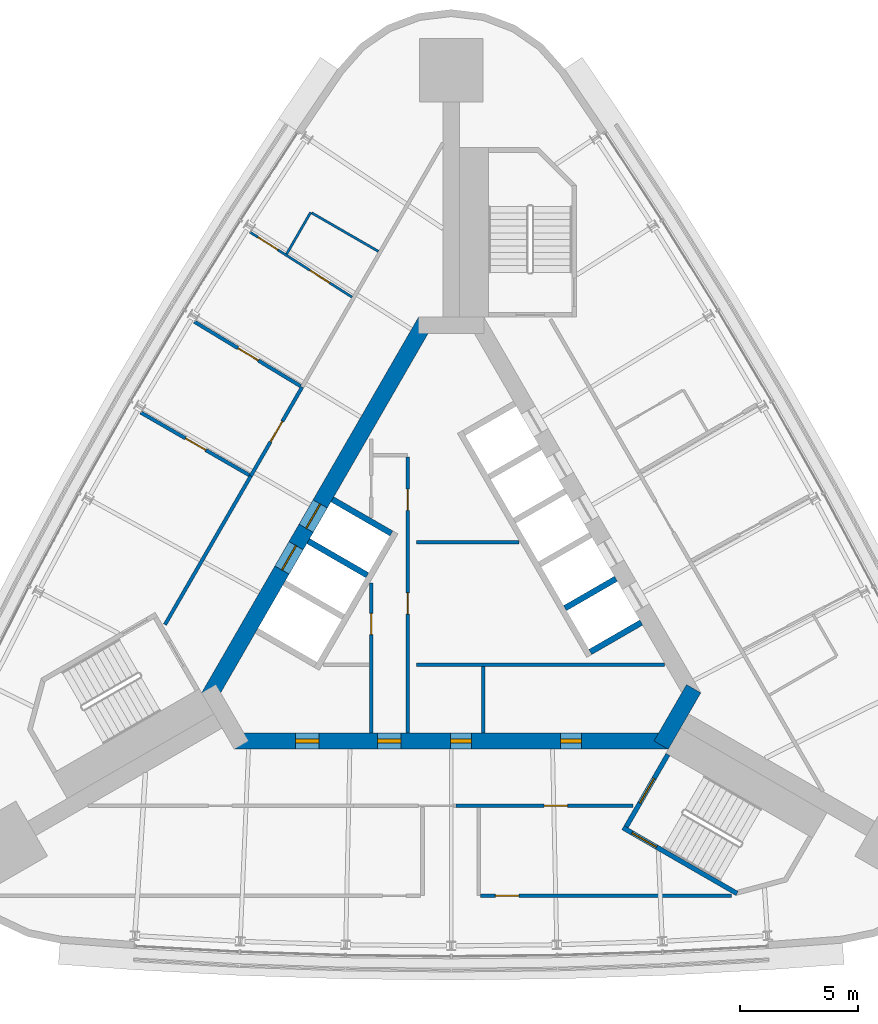
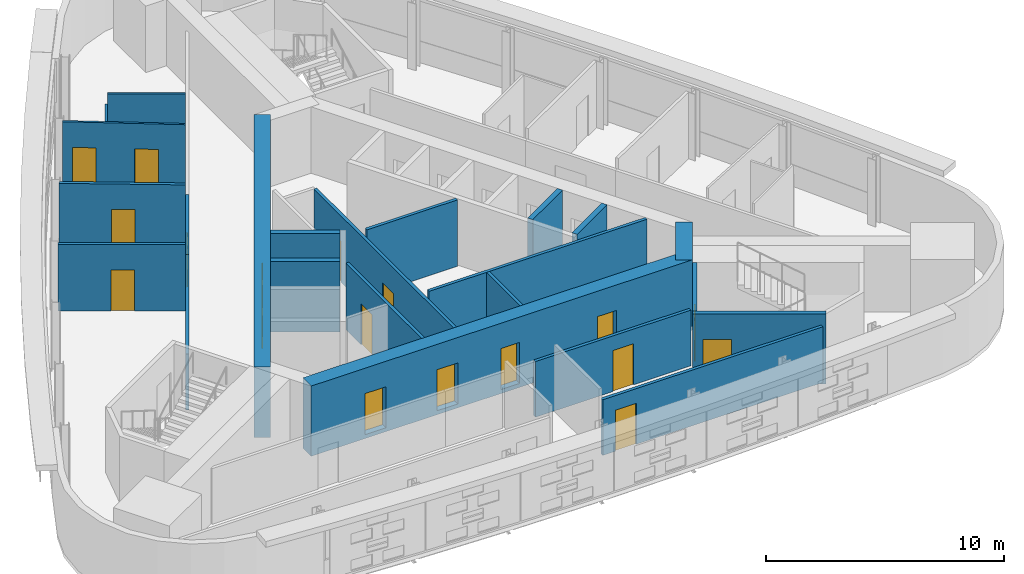
# One storey, part 7 of 10: 23 walls, 18 doors, 18 openings.
"""IFC4 building model written with IfcOpenShell, lengths in metres."""

from ifc_helpers import new_model, si_unit, direction, frame, frame_2d, origin, place, context, subcontext, project, spatial, rectangle, extrude, material, layer, layer_set, type_object, element, fill, save


model = new_model("IFC4")

# Units and contexts
model_context = context("Model", 3, precision=1e-05, world=origin(), true_north=direction((0.0, 1.0)))
body_context = subcontext(model_context, "Body", "Model", "MODEL_VIEW")
ifc_project = project(units=[si_unit("LENGTHUNIT", "METRE"), si_unit("AREAUNIT", "SQUARE_METRE"), si_unit("VOLUMEUNIT", "CUBIC_METRE"), si_unit("PLANEANGLEUNIT", "RADIAN"), si_unit("MASSUNIT", "GRAM", prefix="KILO")], contexts=[model_context])

# Site, building, storey
site_placement = place(None, origin())
site = spatial("IfcSite", under=ifc_project, at=site_placement, CompositionType="ELEMENT")
building_placement = place(site_placement, origin())
building = spatial("IfcBuilding", under=site, at=building_placement, Name="Noor Cloister Tower", CompositionType="ELEMENT")
storey_placement = place(building_placement, frame((0.0, 0.0, 195.89990234375)))
storey = spatial("IfcBuildingStorey", under=building, at=storey_placement, Name="L50", CompositionType="ELEMENT", Elevation=195.89990234375)

# Wall, opening, door
ifc_material_1 = material(Name="Concrete C30/37", Category="concrete")
ifc_layer_1 = layer(ifc_material_1, 0.14990234375)
ifc_layer_set_1 = layer_set([ifc_layer_1], Name="Core partition 150 C30/37")
wall_type_1 = type_object("IfcWallType", Name="Core partition 150 C30/37", PredefinedType="PARTITIONING", material=ifc_layer_set_1)
wall_1_placement = place(storey_placement, frame((-3.40380859375, 0.131103515625, 0.0), z_axis=(0.0, 0.0, 1.0), x_axis=(0.0, -1.0, 0.0)))
wall_1 = element("IfcWall", 1, at=wall_1_placement, inside=storey, type_object=wall_type_1, Name="Core room partition L50 2", PredefinedType="PARTITIONING", context=body_context, shape_type="SweptSolid", body=[
    extrude(rectangle(XDim=6.359375, YDim=0.14990234375, at=frame_2d((3.1796875, 0.0))), origin(), (0.0, 0.0, 1.0), 3.400146484375),
])
opening_1_placement = place(wall_1_placement, frame((1.280517578125, 0.0, 0.0)))
opening_1 = element("IfcOpeningElement", 2, at=opening_1_placement, cuts=wall_1, Name="Opening L50-905", PredefinedType="OPENING", context=body_context, shape_type="SweptSolid", body=[
    extrude(rectangle(XDim=0.89990234375, YDim=2.10009765625, at=frame_2d((0.449951171875, 1.050048828125))), frame((0.0, 0.0849609375, 0.0), z_axis=(0.0, -1.0, 0.0), x_axis=(1.0, 0.0, 0.0)), (0.0, 0.0, 1.0), 0.169921875),
])
ifc_material_2 = material(Name="Steel", Category="steel")
door_type_1 = type_object("IfcDoorType", Name="Core door 900 x 2100 FD120", OperationType="SINGLE_SWING_LEFT", PredefinedType="DOOR", material=ifc_material_2)
door_1_placement = place(opening_1_placement, origin())
door_1 = element("IfcDoor", 3, at=door_1_placement, inside=storey, type_object=door_type_1, Name="Core door 5 L50", OperationType="SINGLE_SWING_LEFT", OverallHeight=2.10009765625, OverallWidth=0.89990234375, PredefinedType="DOOR", context=body_context, shape_type="SweptSolid", body=[
    extrude(rectangle(XDim=0.89990234375, YDim=2.10009765625, at=frame_2d((0.449951171875, 1.050048828125))), frame((0.0, 0.02490234375, 0.0), z_axis=(0.0, -1.0, 0.0), x_axis=(1.0, 0.0, 0.0)), (0.0, 0.0, 1.0), 0.050048828125),
])
fill(opening_1, door_1)

# Wall, openings, doors
wall_2_placement = place(storey_placement, frame((-1.853759765625, 5.496826171875, 0.0), z_axis=(0.0, 0.0, 1.0), x_axis=(0.0, -1.0, 0.0)))
wall_2 = element("IfcWall", 4, at=wall_2_placement, inside=storey, type_object=wall_type_1, Name="Core room partition L50 5", PredefinedType="PARTITIONING", context=body_context, shape_type="SweptSolid", body=[
    extrude(rectangle(XDim=11.72509765625, YDim=0.14990234375, at=frame_2d((5.862548828125, 0.0))), origin(), (0.0, 0.0, 1.0), 3.400146484375),
])
opening_2_placement = place(wall_2_placement, frame((5.77490234375, 0.0, 0.0)))
opening_2 = element("IfcOpeningElement", 5, at=opening_2_placement, cuts=wall_2, Name="Opening L50-906", PredefinedType="OPENING", context=body_context, shape_type="SweptSolid", body=[
    extrude(rectangle(XDim=0.89990234375, YDim=2.10009765625, at=frame_2d((0.449951171875, 1.050048828125))), frame((0.0, 0.0849609375, 0.0), z_axis=(0.0, -1.0, 0.0), x_axis=(1.0, 0.0, 0.0)), (0.0, 0.0, 1.0), 0.169921875),
])
opening_3_placement = place(wall_2_placement, frame((1.363525390625, 0.0, 0.0)))
opening_3 = element("IfcOpeningElement", 6, at=opening_3_placement, cuts=wall_2, Name="Opening L50-908", PredefinedType="OPENING", context=body_context, shape_type="SweptSolid", body=[
    extrude(rectangle(XDim=0.89990234375, YDim=2.10009765625, at=frame_2d((0.449951171875, 1.050048828125))), frame((0.0, 0.0849609375, 0.0), z_axis=(0.0, -1.0, 0.0), x_axis=(1.0, 0.0, 0.0)), (0.0, 0.0, 1.0), 0.169921875),
])
door_2_placement = place(opening_3_placement, origin())
door_2 = element("IfcDoor", 7, at=door_2_placement, inside=storey, type_object=door_type_1, Name="Core door 8 L50", OperationType="SINGLE_SWING_RIGHT", OverallHeight=2.10009765625, OverallWidth=0.89990234375, PredefinedType="DOOR", context=body_context, shape_type="SweptSolid", body=[
    extrude(rectangle(XDim=0.89990234375, YDim=2.10009765625, at=frame_2d((0.449951171875, 1.050048828125))), frame((0.0, 0.02490234375, 0.0), z_axis=(0.0, -1.0, 0.0), x_axis=(1.0, 0.0, 0.0)), (0.0, 0.0, 1.0), 0.050048828125),
])
fill(opening_3, door_2)
ifc_material_3 = material(Name="Steel", Category="steel")
door_type_2 = type_object("IfcDoorType", Name="Core door 900 x 2100 FD60", OperationType="SINGLE_SWING_LEFT", PredefinedType="DOOR", material=ifc_material_3)
door_3_placement = place(opening_2_placement, origin())
door_3 = element("IfcDoor", 8, at=door_3_placement, inside=storey, type_object=door_type_2, Name="Core door 6 L50", OperationType="SINGLE_SWING_RIGHT", OverallHeight=2.10009765625, OverallWidth=0.89990234375, PredefinedType="DOOR", context=body_context, shape_type="SweptSolid", body=[
    extrude(rectangle(XDim=0.89990234375, YDim=2.10009765625, at=frame_2d((0.449951171875, 1.050048828125))), frame((0.0, 0.02490234375, 0.0), z_axis=(0.0, -1.0, 0.0), x_axis=(1.0, 0.0, 0.0)), (0.0, 0.0, 1.0), 0.050048828125),
])
fill(opening_2, door_3)

# Walls
wall_3_placement = place(storey_placement, frame((-1.478759765625, -3.328125, 0.0), z_axis=(0.0, 0.0, 1.0), x_axis=(1.0, 0.0, 0.0)))
element("IfcWall", 9, at=wall_3_placement, inside=storey, type_object=wall_type_1, Name="Core room partition L50 6", PredefinedType="PARTITIONING", context=body_context, shape_type="SweptSolid", body=[
    extrude(rectangle(XDim=10.546875, YDim=0.14990234375, at=frame_2d((5.2734375, 0.0))), origin(), (0.0, 0.0, 1.0), 3.400146484375),
])
wall_4_placement = place(storey_placement, frame((-1.478759765625, 1.871826171875, 0.0), z_axis=(0.0, 0.0, 1.0), x_axis=(1.0, 0.0, 0.0)))
element("IfcWall", 10, at=wall_4_placement, inside=storey, type_object=wall_type_1, Name="Core room partition L50 7", PredefinedType="PARTITIONING", context=body_context, shape_type="SweptSolid", body=[
    extrude(rectangle(XDim=4.369384765625, YDim=0.14990234375, at=frame_2d((2.1845703125, 0.0))), origin(), (0.0, 0.0, 1.0), 3.400146484375),
])
wall_5_placement = place(storey_placement, frame((1.371337890625, -3.4033203125, 0.0), z_axis=(0.0, 0.0, 1.0), x_axis=(0.0, -1.0, 0.0)))
element("IfcWall", 11, at=wall_5_placement, inside=storey, type_object=wall_type_1, Name="Core room partition L50 8", PredefinedType="PARTITIONING", context=body_context, shape_type="SweptSolid", body=[
    extrude(rectangle(XDim=2.824951171875, YDim=0.14990234375, at=frame_2d((1.41259765625, 0.0))), origin(), (0.0, 0.0, 1.0), 3.400146484375),
])

# Wall, openings, doors
ifc_material_4 = material(Name="Concrete C70/85", Category="concrete")
ifc_layer_2 = layer(ifc_material_4, 0.699951171875)
ifc_layer_set_2 = layer_set([ifc_layer_2], Name="Core wall 700 C70/85")
wall_type_2 = type_object("IfcWallType", Name="Core wall 700 C70/85", PredefinedType="SHEAR", material=ifc_layer_set_2)
wall_6_placement = place(storey_placement, frame((-9.228759765625, -6.578125, -0.199951171875), z_axis=(0.0, 0.0, 1.0), x_axis=(1.0, 0.0, 0.0)))
wall_6 = element("IfcWall", 12, at=wall_6_placement, inside=storey, type_object=wall_type_2, Name="Core wall L50 1", PredefinedType="SHEAR", context=body_context, shape_type="SweptSolid", body=[
    extrude(rectangle(XDim=18.45751953125, YDim=0.699951171875, at=frame_2d((9.228759765625, 0.0))), origin(), (0.0, 0.0, 1.0), 3.60009765625),
])
opening_4_placement = place(wall_6_placement, frame((6.10009765625, 0.0, 0.199951171875)))
opening_4 = element("IfcOpeningElement", 13, at=opening_4_placement, cuts=wall_6, Name="Opening L50-901", PredefinedType="OPENING", context=body_context, shape_type="SweptSolid", body=[
    extrude(rectangle(XDim=1.0, YDim=2.10009765625, at=frame_2d((0.5, 1.050048828125))), frame((0.0, 0.35986328125, 0.0), z_axis=(0.0, -1.0, 0.0), x_axis=(1.0, 0.0, 0.0)), (0.0, 0.0, 1.0), 0.719970703125),
])
opening_5_placement = place(wall_6_placement, frame((2.614501953125, 0.0, 0.199951171875)))
opening_5 = element("IfcOpeningElement", 14, at=opening_5_placement, cuts=wall_6, Name="Opening L50-902", PredefinedType="OPENING", context=body_context, shape_type="SweptSolid", body=[
    extrude(rectangle(XDim=1.0, YDim=2.10009765625, at=frame_2d((0.5, 1.050048828125))), frame((0.0, 0.35986328125, 0.0), z_axis=(0.0, -1.0, 0.0), x_axis=(1.0, 0.0, 0.0)), (0.0, 0.0, 1.0), 0.719970703125),
])
opening_6_placement = place(wall_6_placement, frame((9.197509765625, 0.0, 0.199951171875)))
opening_6 = element("IfcOpeningElement", 15, at=opening_6_placement, cuts=wall_6, Name="Opening L50-903", PredefinedType="OPENING", context=body_context, shape_type="SweptSolid", body=[
    extrude(rectangle(XDim=0.89990234375, YDim=2.10009765625, at=frame_2d((0.449951171875, 1.050048828125))), frame((0.0, 0.35986328125, 0.0), z_axis=(0.0, -1.0, 0.0), x_axis=(1.0, 0.0, 0.0)), (0.0, 0.0, 1.0), 0.719970703125),
])
opening_7_placement = place(wall_6_placement, frame((13.876708984375, 0.0, 0.199951171875)))
opening_7 = element("IfcOpeningElement", 16, at=opening_7_placement, cuts=wall_6, Name="Opening L50-904", PredefinedType="OPENING", context=body_context, shape_type="SweptSolid", body=[
    extrude(rectangle(XDim=0.89990234375, YDim=2.10009765625, at=frame_2d((0.449951171875, 1.050048828125))), frame((0.0, 0.35986328125, 0.0), z_axis=(0.0, -1.0, 0.0), x_axis=(1.0, 0.0, 0.0)), (0.0, 0.0, 1.0), 0.719970703125),
])
ifc_material_5 = material(Name="Steel", Category="steel")
door_type_3 = type_object("IfcDoorType", Name="Core door 1000 x 2100 FD120", OperationType="SINGLE_SWING_LEFT", PredefinedType="DOOR", material=ifc_material_5)
door_4_placement = place(opening_4_placement, origin())
door_4 = element("IfcDoor", 17, at=door_4_placement, inside=storey, type_object=door_type_3, Name="Core door 1 L50", OperationType="SINGLE_SWING_LEFT", OverallHeight=2.10009765625, OverallWidth=1.0, PredefinedType="DOOR", context=body_context, shape_type="SweptSolid", body=[
    extrude(rectangle(XDim=1.0, YDim=2.10009765625, at=frame_2d((0.5, 1.050048828125))), frame((0.0, 0.074951171875, 0.0), z_axis=(0.0, -1.0, 0.0), x_axis=(1.0, 0.0, 0.0)), (0.0, 0.0, 1.0), 0.14990234375),
])
fill(opening_4, door_4)
ifc_material_6 = material(Name="Steel", Category="steel")
door_type_4 = type_object("IfcDoorType", Name="Core door 1000 x 2100 FD60", OperationType="SINGLE_SWING_LEFT", PredefinedType="DOOR", material=ifc_material_6)
door_5_placement = place(opening_5_placement, origin())
door_5 = element("IfcDoor", 18, at=door_5_placement, inside=storey, type_object=door_type_4, Name="Core door 2 L50", OperationType="SINGLE_SWING_RIGHT", OverallHeight=2.10009765625, OverallWidth=1.0, PredefinedType="DOOR", context=body_context, shape_type="SweptSolid", body=[
    extrude(rectangle(XDim=1.0, YDim=2.10009765625, at=frame_2d((0.5, 1.050048828125))), frame((0.0, 0.074951171875, 0.0), z_axis=(0.0, -1.0, 0.0), x_axis=(1.0, 0.0, 0.0)), (0.0, 0.0, 1.0), 0.14990234375),
])
fill(opening_5, door_5)
door_6_placement = place(opening_7_placement, origin())
door_6 = element("IfcDoor", 19, at=door_6_placement, inside=storey, type_object=door_type_1, Name="Core door 4 L50", OperationType="SINGLE_SWING_RIGHT", OverallHeight=2.10009765625, OverallWidth=0.89990234375, PredefinedType="DOOR", context=body_context, shape_type="SweptSolid", body=[
    extrude(rectangle(XDim=0.89990234375, YDim=2.10009765625, at=frame_2d((0.449951171875, 1.050048828125))), frame((0.0, 0.074951171875, 0.0), z_axis=(0.0, -1.0, 0.0), x_axis=(1.0, 0.0, 0.0)), (0.0, 0.0, 1.0), 0.14990234375),
])
fill(opening_7, door_6)
door_7_placement = place(opening_6_placement, origin())
door_7 = element("IfcDoor", 20, at=door_7_placement, inside=storey, type_object=door_type_2, Name="Core door 3 L50", OperationType="SINGLE_SWING_LEFT", OverallHeight=2.10009765625, OverallWidth=0.89990234375, PredefinedType="DOOR", context=body_context, shape_type="SweptSolid", body=[
    extrude(rectangle(XDim=0.89990234375, YDim=2.10009765625, at=frame_2d((0.449951171875, 1.050048828125))), frame((0.0, 0.074951171875, 0.0), z_axis=(0.0, -1.0, 0.0), x_axis=(1.0, 0.0, 0.0)), (0.0, 0.0, 1.0), 0.14990234375),
])
fill(opening_6, door_7)

# Wall
wall_7_placement = place(storey_placement, frame((8.925537109375, -6.753173828125, -0.199951171875), z_axis=(0.0, 0.0, 1.0), x_axis=(0.500042739161, 0.866000726912, 0.0)))
element("IfcWall", 21, at=wall_7_placement, inside=storey, type_object=wall_type_2, Name="Core wall L50 2", PredefinedType="SHEAR", context=body_context, shape_type="SweptSolid", body=[
    extrude(rectangle(XDim=2.771240234375, YDim=0.699951171875, at=frame_2d((1.3857421875, 0.0))), origin(), (0.0, 0.0, 1.0), 3.60009765625),
])

# Wall, openings, doors
wall_8_placement = place(storey_placement, frame((-1.08251953125, 11.281494140625, -0.199951171875), z_axis=(0.0, 0.0, 1.0), x_axis=(-0.500001446645, -0.866024568562, 0.0)))
wall_8 = element("IfcWall", 22, at=wall_8_placement, inside=storey, type_object=wall_type_2, Name="Core wall L50 5", PredefinedType="SHEAR", context=body_context, shape_type="SweptSolid", body=[
    extrude(rectangle(XDim=18.45751953125, YDim=0.699951171875, at=frame_2d((9.228759765625, 0.0))), origin(), (0.0, 0.0, 1.0), 3.60009765625),
])
opening_8_placement = place(wall_8_placement, frame((8.978759765625, 0.0, 0.199951171875)))
opening_8 = element("IfcOpeningElement", 23, at=opening_8_placement, cuts=wall_8, Name="Opening L50-FF1", PredefinedType="OPENING", context=body_context, shape_type="SweptSolid", body=[
    extrude(rectangle(XDim=1.199951171875, YDim=2.10009765625, at=frame_2d((0.60009765625, 1.050048828125))), frame((0.0, 0.35986328125, 0.0), z_axis=(0.0, -1.0, 0.0), x_axis=(1.0, 0.0, 0.0)), (0.0, 0.0, 1.0), 0.719970703125),
])
opening_9_placement = place(wall_8_placement, frame((11.02880859375, 0.0, 0.199951171875)))
opening_9 = element("IfcOpeningElement", 24, at=opening_9_placement, cuts=wall_8, Name="Opening L50-FF2", PredefinedType="OPENING", context=body_context, shape_type="SweptSolid", body=[
    extrude(rectangle(XDim=1.199951171875, YDim=2.10009765625, at=frame_2d((0.60009765625, 1.050048828125))), frame((0.0, 0.35986328125, 0.0), z_axis=(0.0, -1.0, 0.0), x_axis=(1.0, 0.0, 0.0)), (0.0, 0.0, 1.0), 0.719970703125),
])
ifc_material_7 = material(Name="Stainless steel", Category="steel")
door_type_5 = type_object("IfcDoorType", Name="Lift landing door 1200 x 2100", OperationType="DOUBLE_DOOR_SLIDING", PredefinedType="DOOR", material=ifc_material_7)
door_8_placement = place(opening_8_placement, origin())
door_8 = element("IfcDoor", 25, at=door_8_placement, inside=storey, type_object=door_type_5, Name="Landing door FF1 L50", OperationType="DOUBLE_DOOR_SLIDING", OverallHeight=2.10009765625, OverallWidth=1.199951171875, PredefinedType="DOOR", context=body_context, shape_type="SweptSolid", body=[
    extrude(rectangle(XDim=1.199951171875, YDim=2.10009765625, at=frame_2d((0.60009765625, 1.050048828125))), frame((0.0, 0.02490234375, 0.0), z_axis=(0.0, -1.0, 0.0), x_axis=(1.0, 0.0, 0.0)), (0.0, 0.0, 1.0), 0.050048828125),
])
fill(opening_8, door_8)
door_9_placement = place(opening_9_placement, origin())
door_9 = element("IfcDoor", 26, at=door_9_placement, inside=storey, type_object=door_type_5, Name="Landing door FF2 L50", OperationType="DOUBLE_DOOR_SLIDING", OverallHeight=2.10009765625, OverallWidth=1.199951171875, PredefinedType="DOOR", context=body_context, shape_type="SweptSolid", body=[
    extrude(rectangle(XDim=1.199951171875, YDim=2.10009765625, at=frame_2d((0.60009765625, 1.050048828125))), frame((0.0, 0.02490234375, 0.0), z_axis=(0.0, -1.0, 0.0), x_axis=(1.0, 0.0, 0.0)), (0.0, 0.0, 1.0), 0.050048828125),
])
fill(opening_9, door_9)

# Wall
ifc_material_8 = material(Name="Fire-rated gypsum board partition on steel studs, 150 mm", Category="steel")
ifc_layer_3 = layer(ifc_material_8, 0.14990234375)
ifc_layer_set_3 = layer_set([ifc_layer_3], Name="Fire lobby wall 150")
wall_type_3 = type_object("IfcWallType", Name="Fire lobby wall 150", PredefinedType="PARTITIONING", material=ifc_layer_set_3)
wall_9_placement = place(storey_placement, frame((-8.52490234375, 4.69091796875, 0.0), z_axis=(0.0, 0.0, 1.0), x_axis=(-0.499986021771, -0.866033473968, 0.0)))
element("IfcWall", 27, at=wall_9_placement, inside=storey, type_object=wall_type_3, Name="Wall L50-W19", PredefinedType="PARTITIONING", context=body_context, shape_type="SweptSolid", body=[
    extrude(rectangle(XDim=7.296630859375, YDim=0.14990234375, at=frame_2d((3.6484375, 0.0))), origin(), (0.0, 0.0, 1.0), 2.85205078125),
])

# Wall, opening, door
wall_10_placement = place(storey_placement, frame((-6.3408203125, 8.473876953125, 0.0), z_axis=(0.0, 0.0, 1.0), x_axis=(-0.49999822179, -0.866026430432, 0.0)))
wall_10 = element("IfcWall", 28, at=wall_10_placement, inside=storey, type_object=wall_type_3, Name="Wall L50-W22", PredefinedType="PARTITIONING", context=body_context, shape_type="SweptSolid", body=[
    extrude(rectangle(XDim=4.3681640625, YDim=0.14990234375, at=frame_2d((2.18408203125, 0.0))), origin(), (0.0, 0.0, 1.0), 2.85205078125),
])
opening_10_placement = place(wall_10_placement, frame((1.68408203125, 0.0, 0.0)))
opening_10 = element("IfcOpeningElement", 29, at=opening_10_placement, cuts=wall_10, Name="Opening L50-012", PredefinedType="OPENING", context=body_context, shape_type="SweptSolid", body=[
    extrude(rectangle(XDim=1.0, YDim=2.10009765625, at=frame_2d((0.5, 1.050048828125))), frame((0.0, 0.0849609375, 0.0), z_axis=(0.0, -1.0, 0.0), x_axis=(1.0, 0.0, 0.0)), (0.0, 0.0, 1.0), 0.169921875),
])
ifc_material_9 = material(Name="Timber door leaf with steel frame", Category="steel")
door_type_6 = type_object("IfcDoorType", Name="Fire lobby door 1000", OperationType="NOTDEFINED", PredefinedType="DOOR", material=ifc_material_9)
door_10_placement = place(opening_10_placement, origin())
door_10 = element("IfcDoor", 30, at=door_10_placement, inside=storey, type_object=door_type_6, Name="Door L50-012", OperationType="SINGLE_SWING_RIGHT", OverallHeight=2.10009765625, OverallWidth=1.0, PredefinedType="DOOR", context=body_context, shape_type="SweptSolid", body=[
    extrude(rectangle(XDim=1.0, YDim=2.10009765625, at=frame_2d((0.5, 1.050048828125))), frame((0.0, 0.02490234375, 0.0), z_axis=(0.0, -1.0, 0.0), x_axis=(1.0, 0.0, 0.0)), (0.0, 0.0, 1.0), 0.050048828125),
])
fill(opening_10, door_10)

ifc_material_10 = material(Name="Gypsum board partition on steel studs, 150 mm", Category="steel")
ifc_layer_4 = layer(ifc_material_10, 0.14990234375)
ifc_layer_set_4 = layer_set([ifc_layer_4], Name="Flat wall 150")
wall_type_4 = type_object("IfcWallType", Name="Flat wall 150", PredefinedType="PARTITIONING", material=ifc_layer_set_4)
wall_11_placement = place(storey_placement, frame((0.199951171875, -9.328125, 0.0), z_axis=(0.0, 0.0, 1.0), x_axis=(1.0, 0.0, 0.0)))
wall_11 = element("IfcWall", 31, at=wall_11_placement, inside=storey, type_object=wall_type_4, Name="Wall L50-W12", PredefinedType="PARTITIONING", context=body_context, shape_type="SweptSolid", body=[
    extrude(rectangle(XDim=7.527587890625, YDim=0.14990234375, at=frame_2d((3.763671875, 0.0))), origin(), (0.0, 0.0, 1.0), 2.85205078125),
])
opening_11_placement = place(wall_11_placement, frame((3.753173828125, 0.0, 0.0)))
opening_11 = element("IfcOpeningElement", 32, at=opening_11_placement, cuts=wall_11, Name="Opening L50-011", PredefinedType="OPENING", context=body_context, shape_type="SweptSolid", body=[
    extrude(rectangle(XDim=1.0, YDim=2.10009765625, at=frame_2d((0.5, 1.050048828125))), frame((0.0, 0.0849609375, 0.0), z_axis=(0.0, -1.0, 0.0), x_axis=(1.0, 0.0, 0.0)), (0.0, 0.0, 1.0), 0.169921875),
])
ifc_material_11 = material(Name="Timber door leaf with steel frame", Category="steel")
door_type_7 = type_object("IfcDoorType", Name="Interior door 1000 FD60", OperationType="NOTDEFINED", PredefinedType="DOOR", material=ifc_material_11)
door_11_placement = place(opening_11_placement, origin())
door_11 = element("IfcDoor", 33, at=door_11_placement, inside=storey, type_object=door_type_7, Name="Door L50-011", OperationType="SINGLE_SWING_LEFT", OverallHeight=2.10009765625, OverallWidth=1.0, PredefinedType="DOOR", context=body_context, shape_type="SweptSolid", body=[
    extrude(rectangle(XDim=1.0, YDim=2.10009765625, at=frame_2d((0.5, 1.050048828125))), frame((0.0, 0.02490234375, 0.0), z_axis=(0.0, -1.0, 0.0), x_axis=(1.0, 0.0, 0.0)), (0.0, 0.0, 1.0), 0.050048828125),
])
fill(opening_11, door_11)

wall_12_placement = place(storey_placement, frame((1.253662109375, -13.156005859375, 0.0), z_axis=(0.0, 0.0, 1.0), x_axis=(1.0, 0.0, 0.0)))
wall_12 = element("IfcWall", 34, at=wall_12_placement, inside=storey, type_object=wall_type_4, Name="Wall L50-W17", PredefinedType="PARTITIONING", context=body_context, shape_type="SweptSolid", body=[
    extrude(rectangle(XDim=10.662109375, YDim=0.14990234375, at=frame_2d((5.3310546875, 0.0))), origin(), (0.0, 0.0, 1.0), 2.85205078125),
])
opening_12_placement = place(wall_12_placement, frame((0.625, 0.0, 0.0)))
opening_12 = element("IfcOpeningElement", 35, at=opening_12_placement, cuts=wall_12, Name="Opening L50-010", PredefinedType="OPENING", context=body_context, shape_type="SweptSolid", body=[
    extrude(rectangle(XDim=1.0, YDim=2.10009765625, at=frame_2d((0.5, 1.050048828125))), frame((0.0, 0.0849609375, 0.0), z_axis=(0.0, -1.0, 0.0), x_axis=(1.0, 0.0, 0.0)), (0.0, 0.0, 1.0), 0.169921875),
])
door_12_placement = place(opening_12_placement, origin())
door_12 = element("IfcDoor", 36, at=door_12_placement, inside=storey, type_object=door_type_7, Name="Door L50-010", OperationType="SINGLE_SWING_RIGHT", OverallHeight=2.10009765625, OverallWidth=1.0, PredefinedType="DOOR", context=body_context, shape_type="SweptSolid", body=[
    extrude(rectangle(XDim=1.0, YDim=2.10009765625, at=frame_2d((0.5, 1.050048828125))), frame((0.0, 0.02490234375, 0.0), z_axis=(0.0, -1.0, 0.0), x_axis=(1.0, 0.0, 0.0)), (0.0, 0.0, 1.0), 0.050048828125),
])
fill(opening_12, door_12)

wall_13_placement = place(storey_placement, frame((-10.93115234375, 11.25830078125, 0.0), z_axis=(0.0, 0.0, 1.0), x_axis=(0.855021240233, -0.51859297985, 0.0)))
wall_13 = element("IfcWall", 37, at=wall_13_placement, inside=storey, type_object=wall_type_4, Name="Wall L50-W20", PredefinedType="PARTITIONING", context=body_context, shape_type="SweptSolid", body=[
    extrude(rectangle(XDim=5.2939453125, YDim=0.14990234375, at=frame_2d((2.64697265625, 0.0))), origin(), (0.0, 0.0, 1.0), 3.400146484375),
])
opening_13_placement = place(wall_13_placement, frame((2.184326171875, 0.0, 0.0)))
opening_13 = element("IfcOpeningElement", 38, at=opening_13_placement, cuts=wall_13, Name="Opening L50-015", PredefinedType="OPENING", context=body_context, shape_type="SweptSolid", body=[
    extrude(rectangle(XDim=1.0, YDim=2.10009765625, at=frame_2d((0.5, 1.050048828125))), frame((0.0, 0.0849609375, 0.0), z_axis=(0.0, -1.0, 0.0), x_axis=(1.0, 0.0, 0.0)), (0.0, 0.0, 1.0), 0.169921875),
])
ifc_material_12 = material(Name="Timber door leaf with steel frame", Category="steel")
door_type_8 = type_object("IfcDoorType", Name="Flat entrance door 1000", OperationType="NOTDEFINED", PredefinedType="DOOR", material=ifc_material_12)
door_13_placement = place(opening_13_placement, origin())
door_13 = element("IfcDoor", 39, at=door_13_placement, inside=storey, type_object=door_type_8, Name="Door L50-015", OperationType="SINGLE_SWING_LEFT", OverallHeight=2.10009765625, OverallWidth=1.0, PredefinedType="DOOR", context=body_context, shape_type="SweptSolid", body=[
    extrude(rectangle(XDim=1.0, YDim=2.10009765625, at=frame_2d((0.5, 1.050048828125))), frame((0.0, 0.02490234375, 0.0), z_axis=(0.0, -1.0, 0.0), x_axis=(1.0, 0.0, 0.0)), (0.0, 0.0, 1.0), 0.050048828125),
])
fill(opening_13, door_13)

wall_14_placement = place(storey_placement, frame((-13.211669921875, 7.396728515625, 0.0), z_axis=(0.0, 0.0, 1.0), x_axis=(0.866041606145, -0.499971935638, 0.0)))
wall_14 = element("IfcWall", 40, at=wall_14_placement, inside=storey, type_object=wall_type_4, Name="Wall L50-W21", PredefinedType="PARTITIONING", context=body_context, shape_type="SweptSolid", body=[
    extrude(rectangle(XDim=5.336669921875, YDim=0.14990234375, at=frame_2d((2.66845703125, 0.0))), origin(), (0.0, 0.0, 1.0), 3.400146484375),
])
opening_14_placement = place(wall_14_placement, frame((2.205810546875, 0.0, 0.0)))
opening_14 = element("IfcOpeningElement", 41, at=opening_14_placement, cuts=wall_14, Name="Opening L50-016", PredefinedType="OPENING", context=body_context, shape_type="SweptSolid", body=[
    extrude(rectangle(XDim=1.0, YDim=2.10009765625, at=frame_2d((0.5, 1.050048828125))), frame((0.0, 0.0849609375, 0.0), z_axis=(0.0, -1.0, 0.0), x_axis=(1.0, 0.0, 0.0)), (0.0, 0.0, 1.0), 0.169921875),
])
door_14_placement = place(opening_14_placement, origin())
door_14 = element("IfcDoor", 42, at=door_14_placement, inside=storey, type_object=door_type_7, Name="Door L50-016", OperationType="SINGLE_SWING_RIGHT", OverallHeight=2.10009765625, OverallWidth=1.0, PredefinedType="DOOR", context=body_context, shape_type="SweptSolid", body=[
    extrude(rectangle(XDim=1.0, YDim=2.10009765625, at=frame_2d((0.5, 1.050048828125))), frame((0.0, 0.02490234375, 0.0), z_axis=(0.0, -1.0, 0.0), x_axis=(1.0, 0.0, 0.0)), (0.0, 0.0, 1.0), 0.050048828125),
])
fill(opening_14, door_14)

# Wall, openings, doors
ifc_material_13 = material(Name="Gypsum board partition on steel studs, 100 mm", Category="steel")
ifc_layer_5 = layer(ifc_material_13, 0.10009765625)
ifc_layer_set_5 = layer_set([ifc_layer_5], Name="Partition 100")
wall_type_5 = type_object("IfcWallType", Name="Partition 100", PredefinedType="PARTITIONING", material=ifc_layer_set_5)
wall_15_placement = place(storey_placement, frame((-8.567626953125, 15.06982421875, 0.0), z_axis=(0.0, 0.0, 1.0), x_axis=(0.843577645789, -0.537007221111, 0.0)))
wall_15 = element("IfcWall", 43, at=wall_15_placement, inside=storey, type_object=wall_type_5, Name="Wall L50-W23", PredefinedType="PARTITIONING", context=body_context, shape_type="SweptSolid", body=[
    extrude(rectangle(XDim=5.156494140625, YDim=0.10009765625, at=frame_2d((2.578125, 0.0))), origin(), (0.0, 0.0, 1.0), 3.400146484375),
])
opening_15_placement = place(wall_15_placement, frame((0.4140625, 0.0, 0.0)))
opening_15 = element("IfcOpeningElement", 44, at=opening_15_placement, cuts=wall_15, Name="Opening L50-013", PredefinedType="OPENING", context=body_context, shape_type="SweptSolid", body=[
    extrude(rectangle(XDim=1.0, YDim=2.10009765625, at=frame_2d((0.5, 1.050048828125))), frame((0.0, 0.06005859375, 0.0), z_axis=(0.0, -1.0, 0.0), x_axis=(1.0, 0.0, 0.0)), (0.0, 0.0, 1.0), 0.1201171875),
])
opening_16_placement = place(wall_15_placement, frame((3.02978515625, 0.0, 0.0)))
opening_16 = element("IfcOpeningElement", 45, at=opening_16_placement, cuts=wall_15, Name="Opening L50-014", PredefinedType="OPENING", context=body_context, shape_type="SweptSolid", body=[
    extrude(rectangle(XDim=1.0, YDim=2.10009765625, at=frame_2d((0.5, 1.050048828125))), frame((0.0, 0.06005859375, 0.0), z_axis=(0.0, -1.0, 0.0), x_axis=(1.0, 0.0, 0.0)), (0.0, 0.0, 1.0), 0.1201171875),
])
ifc_material_14 = material(Name="Timber door leaf with steel frame", Category="steel")
door_type_9 = type_object("IfcDoorType", Name="Interior door 1000", OperationType="NOTDEFINED", PredefinedType="DOOR", material=ifc_material_14)
door_15_placement = place(opening_15_placement, origin())
door_15 = element("IfcDoor", 46, at=door_15_placement, inside=storey, type_object=door_type_9, Name="Door L50-013", OperationType="SINGLE_SWING_LEFT", OverallHeight=2.10009765625, OverallWidth=1.0, PredefinedType="DOOR", context=body_context, shape_type="SweptSolid", body=[
    extrude(rectangle(XDim=1.0, YDim=2.10009765625, at=frame_2d((0.5, 1.050048828125))), frame((0.0, 0.02490234375, 0.0), z_axis=(0.0, -1.0, 0.0), x_axis=(1.0, 0.0, 0.0)), (0.0, 0.0, 1.0), 0.050048828125),
])
fill(opening_15, door_15)
door_16_placement = place(opening_16_placement, origin())
door_16 = element("IfcDoor", 47, at=door_16_placement, inside=storey, type_object=door_type_9, Name="Door L50-014", OperationType="SINGLE_SWING_RIGHT", OverallHeight=2.10009765625, OverallWidth=1.0, PredefinedType="DOOR", context=body_context, shape_type="SweptSolid", body=[
    extrude(rectangle(XDim=1.0, YDim=2.10009765625, at=frame_2d((0.5, 1.050048828125))), frame((0.0, 0.02490234375, 0.0), z_axis=(0.0, -1.0, 0.0), x_axis=(1.0, 0.0, 0.0)), (0.0, 0.0, 1.0), 0.050048828125),
])
fill(opening_16, door_16)

# Walls
wall_16_placement = place(storey_placement, frame((-7.00048828125, 14.13134765625, 0.0), z_axis=(0.0, 0.0, 1.0), x_axis=(0.500045446624, 0.865999163574, 0.0)))
element("IfcWall", 48, at=wall_16_placement, inside=storey, type_object=wall_type_5, Name="Wall L50-W24", PredefinedType="PARTITIONING", context=body_context, shape_type="SweptSolid", body=[
    extrude(rectangle(XDim=2.050048828125, YDim=0.10009765625, at=frame_2d((1.02490234375, 0.0))), origin(), (0.0, 0.0, 1.0), 2.85205078125),
])
wall_17_placement = place(storey_placement, frame((-5.93212890625, 15.881591796875, 0.0), z_axis=(0.0, 0.0, 1.0), x_axis=(0.866027924134, -0.499995634601, 0.0)))
element("IfcWall", 49, at=wall_17_placement, inside=storey, type_object=wall_type_5, Name="Wall L50-W25", PredefinedType="PARTITIONING", context=body_context, shape_type="SweptSolid", body=[
    extrude(rectangle(XDim=3.27490234375, YDim=0.10009765625, at=frame_2d((1.637451171875, 0.0))), origin(), (0.0, 0.0, 1.0), 3.400146484375),
])
ifc_material_15 = material(Name="Concrete C70/85", Category="concrete")
ifc_layer_6 = layer(ifc_material_15, 0.25)
ifc_layer_set_6 = layer_set([ifc_layer_6], Name="Shaft wall 250 C70/85")
wall_type_6 = type_object("IfcWallType", Name="Shaft wall 250 C70/85", PredefinedType="PARTITIONING", material=ifc_layer_set_6)
for number, where, z_axis, x_axis, name in (
    (50, (8.081298828125, -1.540771484375, -0.199951171875), (0.0, 0.0, 1.0), (-0.866022959057, -0.500004234368, 0.0), "Lift shaft wall L50 NE 1"),
    (51, (7.00634765625, 0.3212890625, -0.199951171875), (0.0, 0.0, 1.0), (-0.866022959057, -0.500004234368, 0.0), "Lift shaft wall L50 NE 2"),
):
    element("IfcWall", number, at=place(storey_placement, frame(where, z_axis=z_axis, x_axis=x_axis)), inside=storey, type_object=wall_type_6, Name=name, PredefinedType="PARTITIONING", context=body_context, shape_type="SweptSolid", body=[
        extrude(rectangle(XDim=2.5, YDim=0.25, at=frame_2d((1.25, 0.0))), origin(), (0.0, 0.0, 1.0), 3.60009765625),
    ])
for number, where, z_axis, x_axis, name in (
    (52, (-5.056396484375, 3.69873046875, -0.199951171875), (0.0, 0.0, 1.0), (0.866032775405, -0.499987231761, 0.0), "Lift shaft wall L50 NW 3"),
    (53, (-6.081298828125, 1.92333984375, -0.199951171875), (0.0, 0.0, 1.0), (0.866032775405, -0.499987231761, 0.0), "Lift shaft wall L50 NW 4"),
):
    element("IfcWall", number, at=place(storey_placement, frame(where, z_axis=z_axis, x_axis=x_axis)), inside=storey, type_object=wall_type_6, Name=name, PredefinedType="PARTITIONING", context=body_context, shape_type="SweptSolid", body=[
        extrude(rectangle(XDim=2.89990234375, YDim=0.25, at=frame_2d((1.449951171875, 0.0))), origin(), (0.0, 0.0, 1.0), 3.60009765625),
    ])

# Wall, opening, door
ifc_material_16 = material(Name="Concrete C70/85", Category="concrete")
ifc_layer_7 = layer(ifc_material_16, 0.199951171875)
ifc_layer_set_7 = layer_set([ifc_layer_7], Name="Stair enclosure wall 200 C70/85")
wall_type_7 = type_object("IfcWallType", Name="Stair enclosure wall 200 C70/85", PredefinedType="SHEAR", material=ifc_layer_set_7)
wall_18_placement = place(storey_placement, frame((7.440185546875, -10.225830078125, -0.199951171875), z_axis=(0.0, 0.0, 1.0), x_axis=(0.500022077904, 0.866012656725, 0.0)))
wall_18 = element("IfcWall", 54, at=wall_18_placement, inside=storey, type_object=wall_type_7, Name="Stair enclosure wall ST3 L50 near end", PredefinedType="SHEAR", context=body_context, shape_type="SweptSolid", body=[
    extrude(rectangle(XDim=3.550048828125, YDim=0.199951171875, at=frame_2d((1.77490234375, 0.0))), origin(), (0.0, 0.0, 1.0), 3.60009765625),
])
opening_17_placement = place(wall_18_placement, frame((1.175048828125, 0.0, 0.199951171875)))
opening_17 = element("IfcOpeningElement", 55, at=opening_17_placement, cuts=wall_18, Name="Opening L50-ST3L", PredefinedType="OPENING", context=body_context, shape_type="SweptSolid", body=[
    extrude(rectangle(XDim=1.199951171875, YDim=2.10009765625, at=frame_2d((0.60009765625, 1.050048828125))), frame((0.0, 0.10986328125, 0.0), z_axis=(0.0, -1.0, 0.0), x_axis=(1.0, 0.0, 0.0)), (0.0, 0.0, 1.0), 0.219970703125),
])
ifc_material_17 = material(Name="Steel", Category="steel")
door_type_10 = type_object("IfcDoorType", Name="Stair door 1200 x 2100 FD120", OperationType="SINGLE_SWING_LEFT", PredefinedType="DOOR", material=ifc_material_17)
door_17_placement = place(opening_17_placement, origin())
door_17 = element("IfcDoor", 56, at=door_17_placement, inside=storey, type_object=door_type_10, Name="Stair door ST3 L50", OperationType="SINGLE_SWING_RIGHT", OverallHeight=2.10009765625, OverallWidth=1.199951171875, PredefinedType="DOOR", context=body_context, shape_type="SweptSolid", body=[
    extrude(rectangle(XDim=1.199951171875, YDim=2.10009765625, at=frame_2d((0.60009765625, 1.050048828125))), frame((0.0, 0.02490234375, 0.0), z_axis=(0.0, -1.0, 0.0), x_axis=(1.0, 0.0, 0.0)), (0.0, 0.0, 1.0), 0.050048828125),
])
fill(opening_17, door_17)

wall_19_placement = place(storey_placement, frame((7.3037109375, -10.262451171875, -0.199951171875), z_axis=(0.0, 0.0, 1.0), x_axis=(0.866026594901, -0.49999793692, 0.0)))
wall_19 = element("IfcWall", 57, at=wall_19_placement, inside=storey, type_object=wall_type_7, Name="Stair enclosure wall ST3 L50 outer side", PredefinedType="SHEAR", context=body_context, shape_type="SweptSolid", body=[
    extrude(rectangle(XDim=5.60009765625, YDim=0.199951171875, at=frame_2d((2.800048828125, 0.0))), origin(), (0.0, 0.0, 1.0), 3.60009765625),
])
opening_18_placement = place(wall_19_placement, frame((0.449951171875, 0.0, 0.199951171875)))
opening_18 = element("IfcOpeningElement", 58, at=opening_18_placement, cuts=wall_19, Name="Opening L50-ST3C", PredefinedType="OPENING", context=body_context, shape_type="SweptSolid", body=[
    extrude(rectangle(XDim=1.199951171875, YDim=2.10009765625, at=frame_2d((0.60009765625, 1.050048828125))), frame((0.0, 0.10986328125, 0.0), z_axis=(0.0, -1.0, 0.0), x_axis=(1.0, 0.0, 0.0)), (0.0, 0.0, 1.0), 0.219970703125),
])
door_18_placement = place(opening_18_placement, origin())
door_18 = element("IfcDoor", 59, at=door_18_placement, inside=storey, type_object=door_type_10, Name="Stair door ST3 L50", OperationType="SINGLE_SWING_LEFT", OverallHeight=2.10009765625, OverallWidth=1.199951171875, PredefinedType="DOOR", context=body_context, shape_type="SweptSolid", body=[
    extrude(rectangle(XDim=1.199951171875, YDim=2.10009765625, at=frame_2d((0.60009765625, 1.050048828125))), frame((0.0, 0.02490234375, 0.0), z_axis=(0.0, -1.0, 0.0), x_axis=(1.0, 0.0, 0.0)), (0.0, 0.0, 1.0), 0.050048828125),
])
fill(opening_18, door_18)

save(model, "model.ifc")
